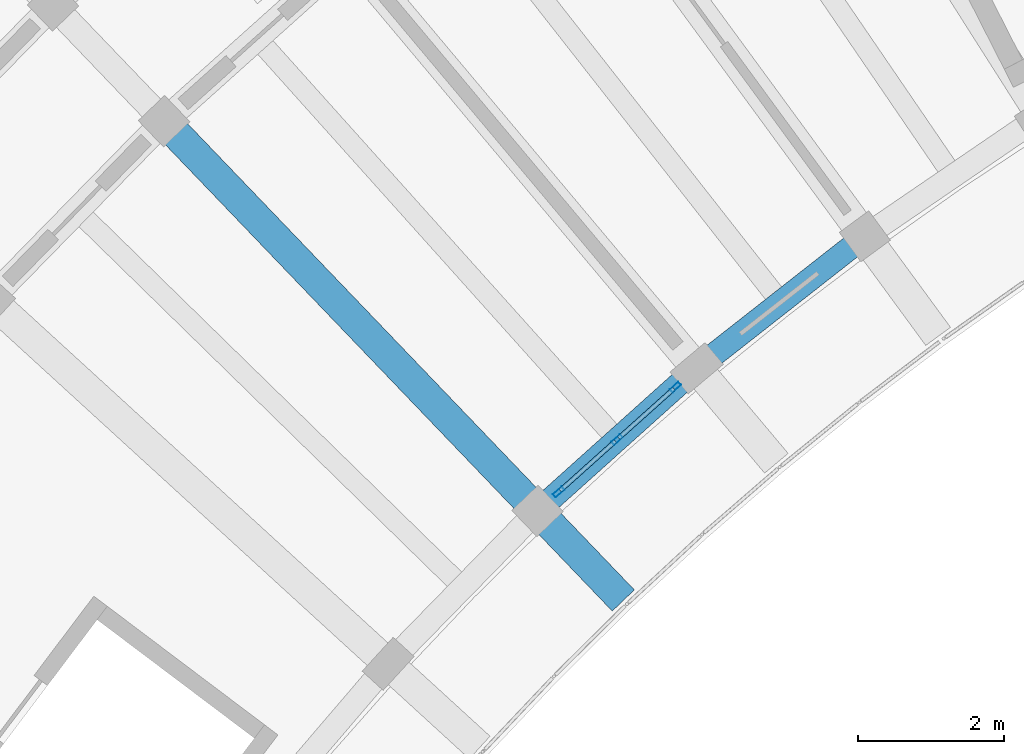
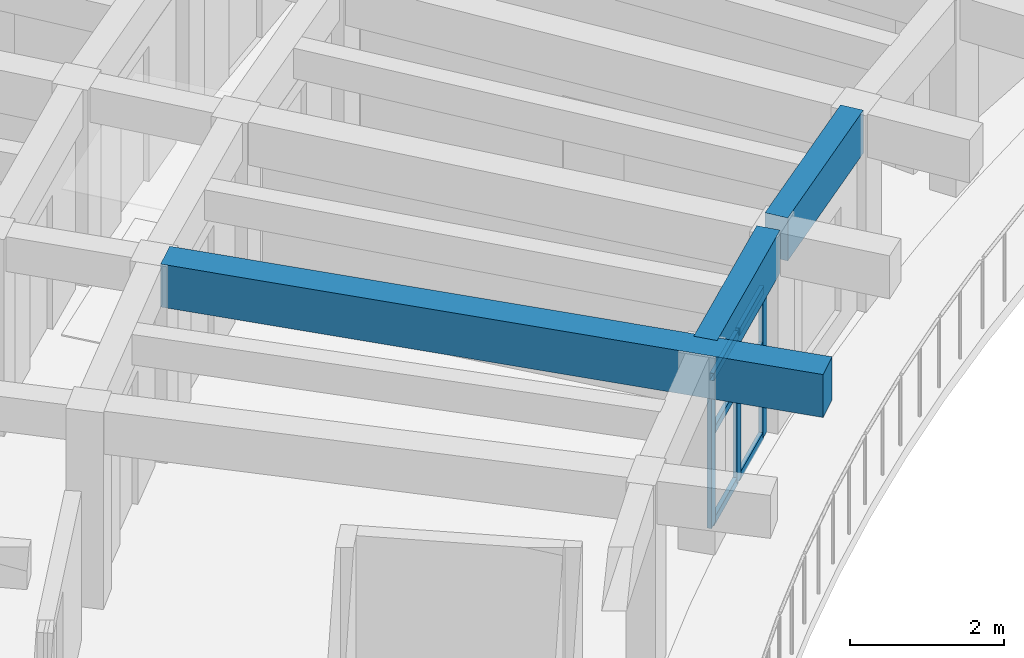
# One storey, part 15 of 62: 9 members, 3 beams, 1 element without a shape of its own.
"""IFC4 building model written with IfcOpenShell, lengths in metres."""

from ifc_helpers import new_model, si_unit, direction, frame, origin, origin_2d, place, context, subcontext, project, spatial, rectangle, hollow_rectangle, extrude, material, material_profile, profile_set, type_object, element, aggregate, save


model = new_model("IFC4")

# Units and contexts
model_context = context("Model", 3, precision=1e-05, world=origin(), true_north=direction((0.0, 1.0)))
body_context = subcontext(model_context, "Body", "Model", "MODEL_VIEW")
ifc_project = project(units=[si_unit("LENGTHUNIT", "METRE"), si_unit("AREAUNIT", "SQUARE_METRE"), si_unit("VOLUMEUNIT", "CUBIC_METRE"), si_unit("PLANEANGLEUNIT", "RADIAN"), si_unit("MASSUNIT", "GRAM", prefix="KILO")], contexts=[model_context])

# Site, building, storey
site_placement = place(None, origin())
site = spatial("IfcSite", under=ifc_project, at=site_placement, CompositionType="ELEMENT")
building_placement = place(site_placement, origin())
building = spatial("IfcBuilding", under=site, at=building_placement, Name="Tanwirah Colonnade Gardens", CompositionType="ELEMENT")
storey_placement = place(building_placement, frame((0.0, 0.0, 32.360107421875)))
storey = spatial("IfcBuildingStorey", under=building, at=storey_placement, Name="L09", CompositionType="ELEMENT", Elevation=32.360107421875)

# Beam
ifc_material_1 = material(Name="Precast concrete C45/55", Category="concrete")
ifc_material_profile_1 = material_profile(ifc_material_1, rectangle(XDim=0.419921875, YDim=0.679931640625, at=origin_2d()), Name="PC-BM 420x680")
ifc_profile_set_1 = profile_set([ifc_material_profile_1], Name="Precast concrete C45/55")
beam_type_1 = type_object("IfcBeamType", Name="BM-PC420", PredefinedType="BEAM", material=ifc_profile_set_1)
beam_placement = place(storey_placement, frame((29.230712890625, 97.52880859375, 2.77490234375), z_axis=(0.691860926595, -0.722030787606, 0.0), x_axis=(0.722030787606, 0.691860926595, 0.0)))
element("IfcBeam", 1, at=beam_placement, inside=storey, type_object=beam_type_1, Name="Block A L09 Inner Radial Precast Girder 10", PredefinedType="BEAM", context=body_context, shape_type="SweptSolid", body=[
    extrude(rectangle(XDim=0.419921875, YDim=0.679931640625, at=origin_2d()), origin(), (0.0, 0.0, 1.0), 8.949951171875),
])

# Curtain wall, members
ifc_material_2 = material(Name="Bronze-anodised aluminium and solar-control low-E glass", Category="aluminium")
curtain_wall_type = type_object("IfcCurtainWallType", Name="CW-GDN", PredefinedType="NOTDEFINED", material=ifc_material_2)
curtain_wall_placement = place(storey_placement, origin())
curtain_wall = element("IfcCurtainWall", 2, at=curtain_wall_placement, inside=storey, type_object=curtain_wall_type, Name="Curtain Wall CW-A-L09-IN-09", PredefinedType="NOTDEFINED")
ifc_material_3 = material(Name="Bronze-anodised aluminium", Category="aluminium")
ifc_material_profile_2 = material_profile(ifc_material_3, hollow_rectangle(XDim=0.06005859375, YDim=0.159912109375, WallThickness=0.00390625, at=origin_2d()), Name="CW-MUL 60x160x4")
ifc_profile_set_2 = profile_set([ifc_material_profile_2], Name="Bronze-anodised aluminium")
member_type_1 = type_object("IfcMemberType", Name="CWM-60x160", PredefinedType="MULLION", material=ifc_profile_set_2)
member_1_placement = place(storey_placement, frame((36.1376953125, 93.990234375, 0.0), z_axis=(0.0, 0.0, 1.0), x_axis=(0.667689182798, -0.744440162253, 0.0)))
member_1 = element("IfcMember", 3, at=member_1_placement, type_object=member_type_1, Name="CW-GDN mullion 1", PredefinedType="MULLION", context=body_context, shape_type="SweptSolid", body=[
    extrude(hollow_rectangle(XDim=0.06005859375, YDim=0.159912109375, WallThickness=0.00390625, at=origin_2d()), origin(), (0.0, 0.0, 1.0), 2.35498046875),
])
member_2_placement = place(storey_placement, frame((35.33740234375, 93.2724609375, 0.0), z_axis=(0.0, 0.0, 1.0), x_axis=(0.667689182798, -0.744440162253, 0.0)))
member_2 = element("IfcMember", 4, at=member_2_placement, type_object=member_type_1, Name="CW-GDN mullion 2", PredefinedType="MULLION", context=body_context, shape_type="SweptSolid", body=[
    extrude(hollow_rectangle(XDim=0.06005859375, YDim=0.159912109375, WallThickness=0.00390625, at=origin_2d()), origin(), (0.0, 0.0, 1.0), 2.35498046875),
])
member_3_placement = place(storey_placement, frame((34.537109375, 92.5546875, 0.0), z_axis=(0.0, 0.0, 1.0), x_axis=(0.667689182798, -0.744440162253, 0.0)))
member_3 = element("IfcMember", 5, at=member_3_placement, type_object=member_type_1, Name="CW-GDN mullion 3", PredefinedType="MULLION", context=body_context, shape_type="SweptSolid", body=[
    extrude(hollow_rectangle(XDim=0.06005859375, YDim=0.159912109375, WallThickness=0.00390625, at=origin_2d()), origin(), (0.0, 0.0, 1.0), 2.35498046875),
])
ifc_material_profile_3 = material_profile(ifc_material_3, hollow_rectangle(XDim=0.06005859375, YDim=0.1201171875, WallThickness=0.00390625, at=origin_2d()), Name="CW-TRN 60x120x4")
ifc_profile_set_3 = profile_set([ifc_material_profile_3], Name="Bronze-anodised aluminium")
member_type_2 = type_object("IfcMemberType", Name="CWT-60x120", PredefinedType="USERDEFINED", material=ifc_profile_set_3)
member_4_placement = place(storey_placement, frame((36.115478515625, 93.97021484375, 0.02978515625), z_axis=(-0.744536466411, -0.66758179288, 0.0), x_axis=(0.66758179288, -0.744536466411, 0.0)))
member_4 = element("IfcMember", 6, at=member_4_placement, type_object=member_type_2, Name="CW-GDN transom 1.1", ObjectType="TRANSOM", PredefinedType="USERDEFINED", context=body_context, shape_type="SweptSolid", body=[
    extrude(hollow_rectangle(XDim=0.06005859375, YDim=0.1201171875, WallThickness=0.00390625, at=origin_2d()), origin(), (0.0, 0.0, 1.0), 1.01513671875),
])
member_5_placement = place(storey_placement, frame((36.115478515625, 93.97021484375, 1.4599609375), z_axis=(-0.744536466411, -0.66758179288, 0.0), x_axis=(0.66758179288, -0.744536466411, 0.0)))
member_5 = element("IfcMember", 7, at=member_5_placement, type_object=member_type_2, Name="CW-GDN transom 1.2", ObjectType="TRANSOM", PredefinedType="USERDEFINED", context=body_context, shape_type="SweptSolid", body=[
    extrude(hollow_rectangle(XDim=0.06005859375, YDim=0.1201171875, WallThickness=0.00390625, at=origin_2d()), origin(), (0.0, 0.0, 1.0), 1.01513671875),
])
member_6_placement = place(storey_placement, frame((36.115478515625, 93.97021484375, 2.324951171875), z_axis=(-0.744536466411, -0.66758179288, 0.0), x_axis=(0.66758179288, -0.744536466411, 0.0)))
member_6 = element("IfcMember", 8, at=member_6_placement, type_object=member_type_2, Name="CW-GDN transom 1.3", ObjectType="TRANSOM", PredefinedType="USERDEFINED", context=body_context, shape_type="SweptSolid", body=[
    extrude(hollow_rectangle(XDim=0.06005859375, YDim=0.1201171875, WallThickness=0.00390625, at=origin_2d()), origin(), (0.0, 0.0, 1.0), 1.01513671875),
])
member_7_placement = place(storey_placement, frame((35.31494140625, 93.25244140625, 0.02978515625), z_axis=(-0.744429262498, -0.667701335281, 0.0), x_axis=(0.667701335281, -0.744429262498, 0.0)))
member_7 = element("IfcMember", 9, at=member_7_placement, type_object=member_type_2, Name="CW-GDN transom 2.1", ObjectType="TRANSOM", PredefinedType="USERDEFINED", context=body_context, shape_type="SweptSolid", body=[
    extrude(hollow_rectangle(XDim=0.06005859375, YDim=0.1201171875, WallThickness=0.00390625, at=origin_2d()), origin(), (0.0, 0.0, 1.0), 1.01513671875),
])
member_8_placement = place(storey_placement, frame((35.31494140625, 93.25244140625, 1.4599609375), z_axis=(-0.744429262498, -0.667701335281, 0.0), x_axis=(0.667701335281, -0.744429262498, 0.0)))
member_8 = element("IfcMember", 10, at=member_8_placement, type_object=member_type_2, Name="CW-GDN transom 2.2", ObjectType="TRANSOM", PredefinedType="USERDEFINED", context=body_context, shape_type="SweptSolid", body=[
    extrude(hollow_rectangle(XDim=0.06005859375, YDim=0.1201171875, WallThickness=0.00390625, at=origin_2d()), origin(), (0.0, 0.0, 1.0), 1.01513671875),
])
member_9_placement = place(storey_placement, frame((35.31494140625, 93.25244140625, 2.324951171875), z_axis=(-0.744429262498, -0.667701335281, 0.0), x_axis=(0.667701335281, -0.744429262498, 0.0)))
member_9 = element("IfcMember", 11, at=member_9_placement, type_object=member_type_2, Name="CW-GDN transom 2.3", ObjectType="TRANSOM", PredefinedType="USERDEFINED", context=body_context, shape_type="SweptSolid", body=[
    extrude(hollow_rectangle(XDim=0.06005859375, YDim=0.1201171875, WallThickness=0.00390625, at=origin_2d()), origin(), (0.0, 0.0, 1.0), 1.01513671875),
])
aggregate(curtain_wall, [member_1, member_2, member_3, member_4, member_5, member_6, member_7, member_8, member_9])

# Beams
ifc_material_profile_4 = material_profile(ifc_material_1, rectangle(XDim=0.320068359375, YDim=0.679931640625, at=origin_2d()), Name="PC-SP 320x680")
ifc_profile_set_4 = profile_set([ifc_material_profile_4], Name="Precast concrete C45/55")
beam_type_2 = type_object("IfcBeamType", Name="SP-PC320", PredefinedType="SPANDREL", material=ifc_profile_set_4)
for number, where, z_axis, x_axis, name in (
    (12, (38.61572265625, 95.966552734375, 2.77490234375), (-0.786836625031, -0.617161344795, 0.0), (0.617161344795, -0.786836625031, 0.0), "Block A L09 Circumferential Beam 8-R0"),
    (13, (36.31640625, 94.150634765625, 2.77490234375), (-0.744400790288, -0.667733077972, 0.0), (0.667733077972, -0.744400790288, 0.0), "Block A L09 Circumferential Beam 9-R0"),
):
    element("IfcBeam", number, at=place(storey_placement, frame(where, z_axis=z_axis, x_axis=x_axis)), inside=storey, type_object=beam_type_2, Name=name, PredefinedType="SPANDREL", context=body_context, shape_type="SweptSolid", body=[
        extrude(rectangle(XDim=0.320068359375, YDim=0.679931640625, at=origin_2d()), origin(), (0.0, 0.0, 1.0), 2.63037109375),
    ])

save(model, "model.ifc")
